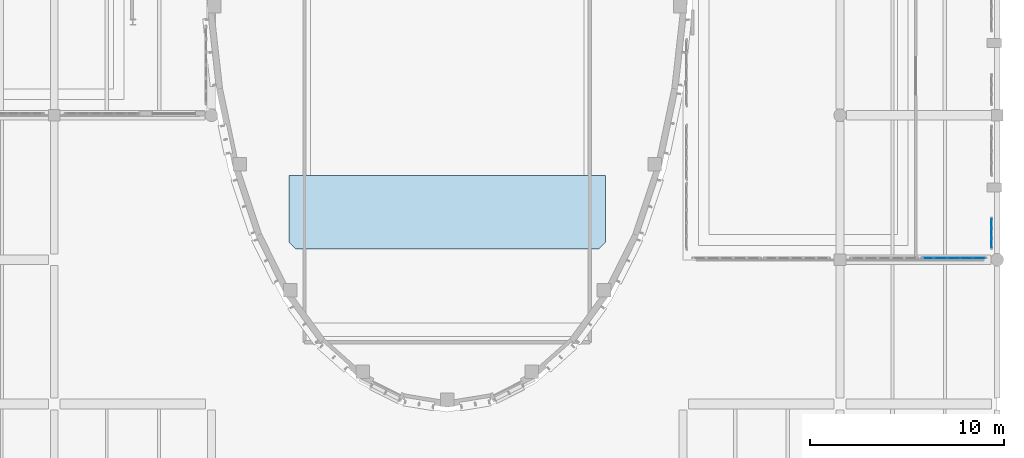
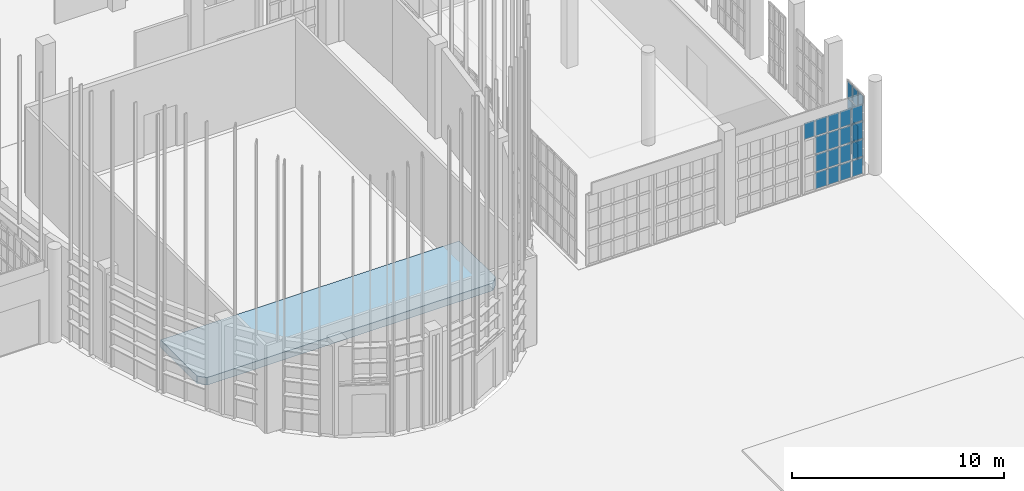
# One storey, part 340 of 372: 29 plates, 1 slab, 2 elements without a shape of their own.
"""IFC4 building model written with IfcOpenShell, lengths in metres."""

from ifc_helpers import new_model, si_unit, direction, frame, origin, origin_2d, place, context, subcontext, project, spatial, polyline, rectangle, outline, extrude, material, layer, layer_set, type_object, element, aggregate, save


model = new_model("IFC4")

# Units and contexts
model_context = context("Model", 3, precision=1e-05, world=origin(), true_north=direction((0.0, 1.0)))
body_context = subcontext(model_context, "Body", "Model", "MODEL_VIEW")
ifc_project = project(units=[si_unit("LENGTHUNIT", "METRE"), si_unit("AREAUNIT", "SQUARE_METRE"), si_unit("VOLUMEUNIT", "CUBIC_METRE"), si_unit("PLANEANGLEUNIT", "RADIAN"), si_unit("MASSUNIT", "GRAM", prefix="KILO")], contexts=[model_context])

# Site, building, storey
site_placement = place(None, origin())
site = spatial("IfcSite", under=ifc_project, at=site_placement, CompositionType="ELEMENT")
building_placement = place(site_placement, origin())
building = spatial("IfcBuilding", under=site, at=building_placement, Name="Kaelora Sail Theatre", CompositionType="ELEMENT")
storey_placement = place(building_placement, origin())
storey = spatial("IfcBuildingStorey", under=building, at=storey_placement, Name="L00", CompositionType="ELEMENT", Elevation=0.0)

# Curtain wall, plates
ifc_material_1 = material(Name="Anodised aluminium and solar-control low-E IGU", Category="aluminium")
curtain_wall_type_1 = type_object("IfcCurtainWallType", Name="ARC-CW-CW-NWG", PredefinedType="NOTDEFINED", material=ifc_material_1)
curtain_wall_1_placement = place(storey_placement, origin())
curtain_wall_1 = element("IfcCurtainWall", 1, at=curtain_wall_1_placement, inside=storey, type_object=curtain_wall_type_1, Name="Glazed Foyer/Conservatory Curtain Wall COLE-S-L00-04", PredefinedType="NOTDEFINED")
ifc_material_2 = material(Name="Solar-control laminated low-E glass", Category="glass")
ifc_layer_1 = layer(ifc_material_2, 0.031982421875)
ifc_layer_set_1 = layer_set([ifc_layer_1], Name="Solar-control laminated low-E glass")
plate_type = type_object("IfcPlateType", Name="ARC-CW-PNL", PredefinedType="CURTAIN_PANEL", material=ifc_layer_set_1)
plate_1_placement = place(storey_placement, frame((159.946533203125, 31.35009765625, 3.1376953125), z_axis=(0.0, 0.0, 1.0), x_axis=(1.0, 0.0, 0.0)))
plate_1 = element("IfcPlate", 2, at=plate_1_placement, type_object=plate_type, Name="CW-NWG panel 1.4", PredefinedType="CURTAIN_PANEL", context=body_context, shape_type="SweptSolid", body=[
    extrude(rectangle(XDim=0.572998046875, YDim=0.031982421875, at=origin_2d()), origin(), (0.0, 0.0, 1.0), 0.92919921875),
])
plate_2_placement = place(storey_placement, frame((160.594482421875, 31.35009765625, 0.070068359375), z_axis=(0.0, 0.0, 1.0), x_axis=(1.0, 0.0, 0.0)))
plate_2 = element("IfcPlate", 3, at=plate_2_placement, type_object=plate_type, Name="CW-NWG panel 2.1", PredefinedType="CURTAIN_PANEL", context=body_context, shape_type="SweptSolid", body=[
    extrude(rectangle(XDim=0.60302734375, YDim=0.031982421875, at=origin_2d()), origin(), (0.0, 0.0, 1.0), 0.92919921875),
])
plate_3_placement = place(storey_placement, frame((160.594482421875, 31.35009765625, 1.069091796875), z_axis=(0.0, 0.0, 1.0), x_axis=(1.0, 0.0, 0.0)))
plate_3 = element("IfcPlate", 4, at=plate_3_placement, type_object=plate_type, Name="CW-NWG panel 2.2", PredefinedType="CURTAIN_PANEL", context=body_context, shape_type="SweptSolid", body=[
    extrude(rectangle(XDim=0.60302734375, YDim=0.031982421875, at=origin_2d()), origin(), (0.0, 0.0, 1.0), 0.96435546875),
])
plate_4_placement = place(storey_placement, frame((160.594482421875, 31.35009765625, 2.103515625), z_axis=(0.0, 0.0, 1.0), x_axis=(1.0, 0.0, 0.0)))
plate_4 = element("IfcPlate", 5, at=plate_4_placement, type_object=plate_type, Name="CW-NWG panel 2.3", PredefinedType="CURTAIN_PANEL", context=body_context, shape_type="SweptSolid", body=[
    extrude(rectangle(XDim=0.60302734375, YDim=0.031982421875, at=origin_2d()), origin(), (0.0, 0.0, 1.0), 0.964111328125),
])
plate_5_placement = place(storey_placement, frame((160.594482421875, 31.35009765625, 3.1376953125), z_axis=(0.0, 0.0, 1.0), x_axis=(1.0, 0.0, 0.0)))
plate_5 = element("IfcPlate", 6, at=plate_5_placement, type_object=plate_type, Name="CW-NWG panel 2.4", PredefinedType="CURTAIN_PANEL", context=body_context, shape_type="SweptSolid", body=[
    extrude(rectangle(XDim=0.60302734375, YDim=0.031982421875, at=origin_2d()), origin(), (0.0, 0.0, 1.0), 0.92919921875),
])
plate_6_placement = place(storey_placement, frame((161.257568359375, 31.35009765625, 0.070068359375), z_axis=(0.0, 0.0, 1.0), x_axis=(1.0, 0.0, 0.0)))
plate_6 = element("IfcPlate", 7, at=plate_6_placement, type_object=plate_type, Name="CW-NWG panel 3.1", PredefinedType="CURTAIN_PANEL", context=body_context, shape_type="SweptSolid", body=[
    extrude(rectangle(XDim=0.60302734375, YDim=0.031982421875, at=origin_2d()), origin(), (0.0, 0.0, 1.0), 0.92919921875),
])
plate_7_placement = place(storey_placement, frame((161.257568359375, 31.35009765625, 1.069091796875), z_axis=(0.0, 0.0, 1.0), x_axis=(1.0, 0.0, 0.0)))
plate_7 = element("IfcPlate", 8, at=plate_7_placement, type_object=plate_type, Name="CW-NWG panel 3.2", PredefinedType="CURTAIN_PANEL", context=body_context, shape_type="SweptSolid", body=[
    extrude(rectangle(XDim=0.60302734375, YDim=0.031982421875, at=origin_2d()), origin(), (0.0, 0.0, 1.0), 0.96435546875),
])
plate_8_placement = place(storey_placement, frame((161.257568359375, 31.35009765625, 2.103515625), z_axis=(0.0, 0.0, 1.0), x_axis=(1.0, 0.0, 0.0)))
plate_8 = element("IfcPlate", 9, at=plate_8_placement, type_object=plate_type, Name="CW-NWG panel 3.3", PredefinedType="CURTAIN_PANEL", context=body_context, shape_type="SweptSolid", body=[
    extrude(rectangle(XDim=0.60302734375, YDim=0.031982421875, at=origin_2d()), origin(), (0.0, 0.0, 1.0), 0.964111328125),
])
plate_9_placement = place(storey_placement, frame((161.257568359375, 31.35009765625, 3.1376953125), z_axis=(0.0, 0.0, 1.0), x_axis=(1.0, 0.0, 0.0)))
plate_9 = element("IfcPlate", 10, at=plate_9_placement, type_object=plate_type, Name="CW-NWG panel 3.4", PredefinedType="CURTAIN_PANEL", context=body_context, shape_type="SweptSolid", body=[
    extrude(rectangle(XDim=0.60302734375, YDim=0.031982421875, at=origin_2d()), origin(), (0.0, 0.0, 1.0), 0.92919921875),
])
plate_10_placement = place(storey_placement, frame((161.92041015625, 31.35009765625, 0.070068359375), z_axis=(0.0, 0.0, 1.0), x_axis=(1.0, 0.0, 0.0)))
plate_10 = element("IfcPlate", 11, at=plate_10_placement, type_object=plate_type, Name="CW-NWG panel 4.1", PredefinedType="CURTAIN_PANEL", context=body_context, shape_type="SweptSolid", body=[
    extrude(rectangle(XDim=0.60302734375, YDim=0.031982421875, at=origin_2d()), origin(), (0.0, 0.0, 1.0), 0.92919921875),
])
plate_11_placement = place(storey_placement, frame((161.92041015625, 31.35009765625, 1.069091796875), z_axis=(0.0, 0.0, 1.0), x_axis=(1.0, 0.0, 0.0)))
plate_11 = element("IfcPlate", 12, at=plate_11_placement, type_object=plate_type, Name="CW-NWG panel 4.2", PredefinedType="CURTAIN_PANEL", context=body_context, shape_type="SweptSolid", body=[
    extrude(rectangle(XDim=0.60302734375, YDim=0.031982421875, at=origin_2d()), origin(), (0.0, 0.0, 1.0), 0.96435546875),
])
plate_12_placement = place(storey_placement, frame((161.92041015625, 31.35009765625, 2.103515625), z_axis=(0.0, 0.0, 1.0), x_axis=(1.0, 0.0, 0.0)))
plate_12 = element("IfcPlate", 13, at=plate_12_placement, type_object=plate_type, Name="CW-NWG panel 4.3", PredefinedType="CURTAIN_PANEL", context=body_context, shape_type="SweptSolid", body=[
    extrude(rectangle(XDim=0.60302734375, YDim=0.031982421875, at=origin_2d()), origin(), (0.0, 0.0, 1.0), 0.964111328125),
])
plate_13_placement = place(storey_placement, frame((161.92041015625, 31.35009765625, 3.1376953125), z_axis=(0.0, 0.0, 1.0), x_axis=(1.0, 0.0, 0.0)))
plate_13 = element("IfcPlate", 14, at=plate_13_placement, type_object=plate_type, Name="CW-NWG panel 4.4", PredefinedType="CURTAIN_PANEL", context=body_context, shape_type="SweptSolid", body=[
    extrude(rectangle(XDim=0.60302734375, YDim=0.031982421875, at=origin_2d()), origin(), (0.0, 0.0, 1.0), 0.92919921875),
])
plate_14_placement = place(storey_placement, frame((162.568603515625, 31.35009765625, 0.070068359375), z_axis=(0.0, 0.0, 1.0), x_axis=(1.0, 0.0, 0.0)))
plate_14 = element("IfcPlate", 15, at=plate_14_placement, type_object=plate_type, Name="CW-NWG panel 5.1", PredefinedType="CURTAIN_PANEL", context=body_context, shape_type="SweptSolid", body=[
    extrude(rectangle(XDim=0.572998046875, YDim=0.031982421875, at=origin_2d()), origin(), (0.0, 0.0, 1.0), 0.92919921875),
])
plate_15_placement = place(storey_placement, frame((162.568603515625, 31.35009765625, 1.069091796875), z_axis=(0.0, 0.0, 1.0), x_axis=(1.0, 0.0, 0.0)))
plate_15 = element("IfcPlate", 16, at=plate_15_placement, type_object=plate_type, Name="CW-NWG panel 5.2", PredefinedType="CURTAIN_PANEL", context=body_context, shape_type="SweptSolid", body=[
    extrude(rectangle(XDim=0.572998046875, YDim=0.031982421875, at=origin_2d()), origin(), (0.0, 0.0, 1.0), 0.96435546875),
])
plate_16_placement = place(storey_placement, frame((162.568603515625, 31.35009765625, 2.103515625), z_axis=(0.0, 0.0, 1.0), x_axis=(1.0, 0.0, 0.0)))
plate_16 = element("IfcPlate", 17, at=plate_16_placement, type_object=plate_type, Name="CW-NWG panel 5.3", PredefinedType="CURTAIN_PANEL", context=body_context, shape_type="SweptSolid", body=[
    extrude(rectangle(XDim=0.572998046875, YDim=0.031982421875, at=origin_2d()), origin(), (0.0, 0.0, 1.0), 0.964111328125),
])
plate_17_placement = place(storey_placement, frame((162.568603515625, 31.35009765625, 3.1376953125), z_axis=(0.0, 0.0, 1.0), x_axis=(1.0, 0.0, 0.0)))
plate_17 = element("IfcPlate", 18, at=plate_17_placement, type_object=plate_type, Name="CW-NWG panel 5.4", PredefinedType="CURTAIN_PANEL", context=body_context, shape_type="SweptSolid", body=[
    extrude(rectangle(XDim=0.572998046875, YDim=0.031982421875, at=origin_2d()), origin(), (0.0, 0.0, 1.0), 0.92919921875),
])
aggregate(curtain_wall_1, [plate_1, plate_2, plate_3, plate_4, plate_5, plate_6, plate_7, plate_8, plate_9, plate_10, plate_11, plate_12, plate_13, plate_14, plate_15, plate_16, plate_17])

ifc_material_3 = material(Name="Anodised aluminium and solar-control low-E IGU", Category="aluminium")
curtain_wall_type_2 = type_object("IfcCurtainWallType", Name="ARC-CW-CW-FOY1", PredefinedType="NOTDEFINED", material=ifc_material_3)
curtain_wall_2_placement = place(storey_placement, origin())
curtain_wall_2 = element("IfcCurtainWall", 19, at=curtain_wall_2_placement, inside=storey, type_object=curtain_wall_type_2, Name="Glazed Colonnade/Courtyard Curtain Wall COLE-E-L00-01", PredefinedType="NOTDEFINED")
plate_18_placement = place(storey_placement, frame((163.2099609375, 32.119140625, 0.070068359375), z_axis=(0.0, 0.0, 1.0), x_axis=(0.0, 1.0, 0.0)))
plate_18 = element("IfcPlate", 20, at=plate_18_placement, type_object=plate_type, Name="CW-FOY1 panel 1.1", PredefinedType="CURTAIN_PANEL", context=body_context, shape_type="SweptSolid", body=[
    extrude(rectangle(XDim=0.42822265625, YDim=0.031982421875, at=origin_2d()), origin(), (0.0, 0.0, 1.0), 0.92919921875),
])
plate_19_placement = place(storey_placement, frame((163.2099609375, 32.119140625, 1.069091796875), z_axis=(0.0, 0.0, 1.0), x_axis=(0.0, 1.0, 0.0)))
plate_19 = element("IfcPlate", 21, at=plate_19_placement, type_object=plate_type, Name="CW-FOY1 panel 1.2", PredefinedType="CURTAIN_PANEL", context=body_context, shape_type="SweptSolid", body=[
    extrude(rectangle(XDim=0.42822265625, YDim=0.031982421875, at=origin_2d()), origin(), (0.0, 0.0, 1.0), 0.96435546875),
])
plate_20_placement = place(storey_placement, frame((163.2099609375, 32.119140625, 2.103515625), z_axis=(0.0, 0.0, 1.0), x_axis=(0.0, 1.0, 0.0)))
plate_20 = element("IfcPlate", 22, at=plate_20_placement, type_object=plate_type, Name="CW-FOY1 panel 1.3", PredefinedType="CURTAIN_PANEL", context=body_context, shape_type="SweptSolid", body=[
    extrude(rectangle(XDim=0.42822265625, YDim=0.031982421875, at=origin_2d()), origin(), (0.0, 0.0, 1.0), 0.964111328125),
])
plate_21_placement = place(storey_placement, frame((163.2099609375, 32.119140625, 3.1376953125), z_axis=(0.0, 0.0, 1.0), x_axis=(0.0, 1.0, 0.0)))
plate_21 = element("IfcPlate", 23, at=plate_21_placement, type_object=plate_type, Name="CW-FOY1 panel 1.4", PredefinedType="CURTAIN_PANEL", context=body_context, shape_type="SweptSolid", body=[
    extrude(rectangle(XDim=0.42822265625, YDim=0.031982421875, at=origin_2d()), origin(), (0.0, 0.0, 1.0), 0.92919921875),
])
plate_22_placement = place(storey_placement, frame((163.2099609375, 32.62255859375, 0.070068359375), z_axis=(0.0, 0.0, 1.0), x_axis=(0.0, 1.0, 0.0)))
plate_22 = element("IfcPlate", 24, at=plate_22_placement, type_object=plate_type, Name="CW-FOY1 panel 2.1", PredefinedType="CURTAIN_PANEL", context=body_context, shape_type="SweptSolid", body=[
    extrude(rectangle(XDim=0.458251953125, YDim=0.031982421875, at=origin_2d()), origin(), (0.0, 0.0, 1.0), 0.92919921875),
])
plate_23_placement = place(storey_placement, frame((163.2099609375, 32.62255859375, 1.069091796875), z_axis=(0.0, 0.0, 1.0), x_axis=(0.0, 1.0, 0.0)))
plate_23 = element("IfcPlate", 25, at=plate_23_placement, type_object=plate_type, Name="CW-FOY1 panel 2.2", PredefinedType="CURTAIN_PANEL", context=body_context, shape_type="SweptSolid", body=[
    extrude(rectangle(XDim=0.458251953125, YDim=0.031982421875, at=origin_2d()), origin(), (0.0, 0.0, 1.0), 0.96435546875),
])
plate_24_placement = place(storey_placement, frame((163.2099609375, 32.62255859375, 2.103515625), z_axis=(0.0, 0.0, 1.0), x_axis=(0.0, 1.0, 0.0)))
plate_24 = element("IfcPlate", 26, at=plate_24_placement, type_object=plate_type, Name="CW-FOY1 panel 2.3", PredefinedType="CURTAIN_PANEL", context=body_context, shape_type="SweptSolid", body=[
    extrude(rectangle(XDim=0.458251953125, YDim=0.031982421875, at=origin_2d()), origin(), (0.0, 0.0, 1.0), 0.964111328125),
])
plate_25_placement = place(storey_placement, frame((163.2099609375, 32.62255859375, 3.1376953125), z_axis=(0.0, 0.0, 1.0), x_axis=(0.0, 1.0, 0.0)))
plate_25 = element("IfcPlate", 27, at=plate_25_placement, type_object=plate_type, Name="CW-FOY1 panel 2.4", PredefinedType="CURTAIN_PANEL", context=body_context, shape_type="SweptSolid", body=[
    extrude(rectangle(XDim=0.458251953125, YDim=0.031982421875, at=origin_2d()), origin(), (0.0, 0.0, 1.0), 0.92919921875),
])
plate_26_placement = place(storey_placement, frame((163.2099609375, 33.125732421875, 0.070068359375), z_axis=(0.0, 0.0, 1.0), x_axis=(0.0, 1.0, 0.0)))
plate_26 = element("IfcPlate", 28, at=plate_26_placement, type_object=plate_type, Name="CW-FOY1 panel 3.1", PredefinedType="CURTAIN_PANEL", context=body_context, shape_type="SweptSolid", body=[
    extrude(rectangle(XDim=0.42822265625, YDim=0.031982421875, at=origin_2d()), origin(), (0.0, 0.0, 1.0), 0.92919921875),
])
plate_27_placement = place(storey_placement, frame((163.2099609375, 33.125732421875, 1.069091796875), z_axis=(0.0, 0.0, 1.0), x_axis=(0.0, 1.0, 0.0)))
plate_27 = element("IfcPlate", 29, at=plate_27_placement, type_object=plate_type, Name="CW-FOY1 panel 3.2", PredefinedType="CURTAIN_PANEL", context=body_context, shape_type="SweptSolid", body=[
    extrude(rectangle(XDim=0.42822265625, YDim=0.031982421875, at=origin_2d()), origin(), (0.0, 0.0, 1.0), 0.96435546875),
])
plate_28_placement = place(storey_placement, frame((163.2099609375, 33.125732421875, 2.103515625), z_axis=(0.0, 0.0, 1.0), x_axis=(0.0, 1.0, 0.0)))
plate_28 = element("IfcPlate", 30, at=plate_28_placement, type_object=plate_type, Name="CW-FOY1 panel 3.3", PredefinedType="CURTAIN_PANEL", context=body_context, shape_type="SweptSolid", body=[
    extrude(rectangle(XDim=0.42822265625, YDim=0.031982421875, at=origin_2d()), origin(), (0.0, 0.0, 1.0), 0.964111328125),
])
plate_29_placement = place(storey_placement, frame((163.2099609375, 33.125732421875, 3.1376953125), z_axis=(0.0, 0.0, 1.0), x_axis=(0.0, 1.0, 0.0)))
plate_29 = element("IfcPlate", 31, at=plate_29_placement, type_object=plate_type, Name="CW-FOY1 panel 3.4", PredefinedType="CURTAIN_PANEL", context=body_context, shape_type="SweptSolid", body=[
    extrude(rectangle(XDim=0.42822265625, YDim=0.031982421875, at=origin_2d()), origin(), (0.0, 0.0, 1.0), 0.92919921875),
])
aggregate(curtain_wall_2, [plate_18, plate_19, plate_20, plate_21, plate_22, plate_23, plate_24, plate_25, plate_26, plate_27, plate_28, plate_29])

# Slab
ifc_material_4 = material(Name="Precast concrete C45/55", Category="concrete")
ifc_layer_2 = layer(ifc_material_4, 0.159912109375)
ifc_layer_set_2 = layer_set([ifc_layer_2], Name="Precast concrete C45/55")
slab_type = type_object("IfcSlabType", Name="STR-SLB-SL-ST160", PredefinedType="USERDEFINED", material=ifc_layer_set_2)
slab_placement = place(storey_placement, origin())
element("IfcSlab", 32, at=slab_placement, inside=storey, type_object=slab_type, Name="Auditorium seating tier ST-B02", ObjectType="SEATING TIER", PredefinedType="USERDEFINED", context=body_context, shape_type="SweptSolid", body=[
    extrude(outline(polyline([(127.35009765625, 31.800048828125), (142.949951171875, 31.800048828125), (143.300048828125, 32.14990234375), (143.300048828125, 35.60009765625), (127.0, 35.60009765625), (127.0, 32.14990234375), (127.35009765625, 31.800048828125)])), origin(), (0.0, 0.0, 1.0), 0.43994140625),
])

save(model, "model.ifc")
